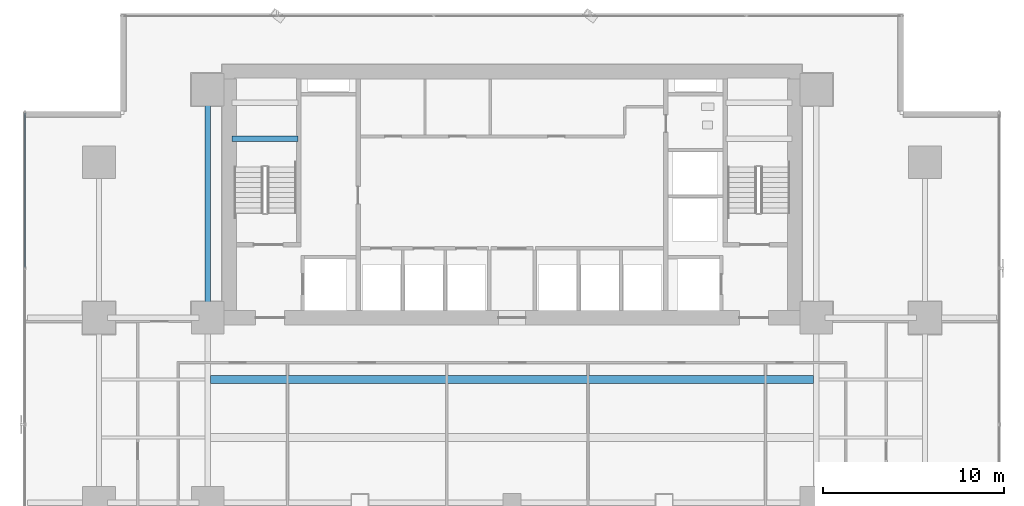
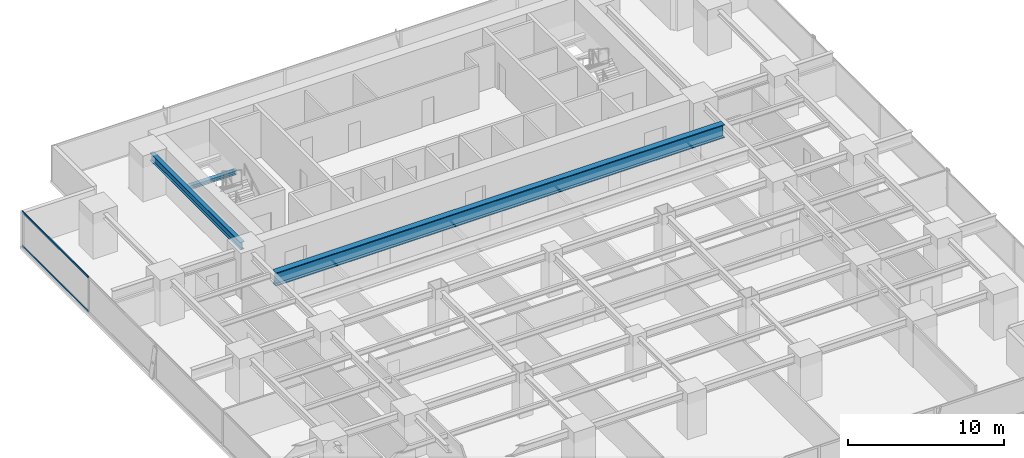
# One storey, part 17 of 33: 3 beams, 2 members, 1 element without a shape of its own.
"""IFC4 building model written with IfcOpenShell, lengths in metres."""

from ifc_helpers import new_model, si_unit, direction, frame, origin, origin_2d, place, context, subcontext, project, spatial, hollow_rectangle, i_section, extrude, source, transform, mapped, material, layer, layer_set, material_profile, profile_set, type_object, element, aggregate, save


model = new_model("IFC4")

# Units and contexts
model_context = context("Model", 3, precision=1e-05, world=origin(), true_north=direction((0.0, 1.0)))
body_context = subcontext(model_context, "Body", "Model", "MODEL_VIEW")
ifc_project = project(units=[si_unit("LENGTHUNIT", "METRE"), si_unit("AREAUNIT", "SQUARE_METRE"), si_unit("VOLUMEUNIT", "CUBIC_METRE"), si_unit("PLANEANGLEUNIT", "RADIAN"), si_unit("MASSUNIT", "GRAM", prefix="KILO")], contexts=[model_context])

# Site, building, storey
site_placement = place(None, origin())
site = spatial("IfcSite", under=ifc_project, at=site_placement, CompositionType="ELEMENT")
building_placement = place(site_placement, origin())
building = spatial("IfcBuilding", under=site, at=building_placement, Name="Sumidabori Civic Tower", CompositionType="ELEMENT")
storey_placement = place(building_placement, frame((0.0, 0.0, 27.199951171875)))
storey = spatial("IfcBuildingStorey", under=building, at=storey_placement, Name="L06", CompositionType="ELEMENT", Elevation=27.199951171875)

# Beams
ifc_material_1 = material(Name="Steel SN490", Category="steel")
ifc_material_profile_1 = material_profile(ifc_material_1, i_section(OverallWidth=0.300048828125, OverallDepth=0.300048828125, WebThickness=0.010986328125, FlangeThickness=0.01904296875, at=origin_2d()), Name="HE 300 B")
ifc_profile_set_1 = profile_set([ifc_material_profile_1], Name="Steel SN490")
beam_type_1 = type_object("IfcBeamType", Name="BM-LDG-300", PredefinedType="BEAM", material=ifc_profile_set_1)
shared_shape_1 = source(origin(), body_context, "Body", "SweptSolid", [
    extrude(i_section(OverallWidth=0.300048828125, OverallDepth=0.300048828125, WebThickness=0.010986328125, FlangeThickness=0.01904296875, at=origin_2d()), origin(), (0.0, 0.0, 1.0), 3.64990234375),
])
beam_1_placement = place(storey_placement, frame((-15.449951171875, 20.09765625, 1.449951171875), z_axis=(1.0, 0.0, 0.0), x_axis=(0.0, 1.0, 0.0)))
element("IfcBeam", 1, at=beam_1_placement, inside=storey, type_object=beam_type_1, Name="Stair ST-1 Landing Support Beam L06-1A", PredefinedType="BEAM", context=body_context, shape_type="MappedRepresentation", body=[
    mapped(shared_shape_1, transform((0.0, 0.0, 0.0), x_axis=(1.0, 0.0, 0.0), y_axis=(0.0, 1.0, 0.0), z_axis=(0.0, 0.0, 1.0), scale=1.0)),
])
ifc_material_profile_2 = material_profile(ifc_material_1, i_section(OverallWidth=0.300048828125, OverallDepth=0.60009765625, WebThickness=0.015380859375, FlangeThickness=0.030029296875, at=origin_2d()), Name="HE 600 B")
ifc_profile_set_2 = profile_set([ifc_material_profile_2], Name="Steel SN490")
beam_type_2 = type_object("IfcBeamType", Name="BM-GIRD-600", PredefinedType="BEAM", material=ifc_profile_set_2)
shared_shape_2 = source(origin(), body_context, "Body", "SweptSolid", [
    extrude(i_section(OverallWidth=0.300048828125, OverallDepth=0.60009765625, WebThickness=0.015380859375, FlangeThickness=0.030029296875, at=origin_2d()), origin(), (0.0, 0.0, 1.0), 11.64013671875),
])
beam_2_placement = place(storey_placement, frame((-16.800048828125, 10.679931640625, 3.06005859375), z_axis=(0.0, 1.0, 0.0), x_axis=(-1.0, 0.0, 0.0)))
element("IfcBeam", 2, at=beam_2_placement, inside=storey, type_object=beam_type_2, Name="Primary Girder L06 GY-28", PredefinedType="BEAM", context=body_context, shape_type="MappedRepresentation", body=[
    mapped(shared_shape_2, transform((0.0, 0.0, 0.0), x_axis=(1.0, 0.0, 0.0), y_axis=(0.0, 1.0, 0.0), z_axis=(0.0, 0.0, 1.0), scale=1.0)),
])
ifc_material_2 = material(Name="Steel SM570", Category="steel")
ifc_material_profile_3 = material_profile(ifc_material_2, i_section(OverallWidth=0.446044921875, OverallDepth=1.0439453125, WebThickness=0.035888671875, FlangeThickness=0.06396484375, at=origin_2d()), Name="W36X652")
ifc_profile_set_3 = profile_set([ifc_material_profile_3], Name="Steel SM570")
beam_type_3 = type_object("IfcBeamType", Name="BM-HEAVY-W36A", PredefinedType="BEAM", material=ifc_profile_set_3)
shared_shape_3 = source(origin(), body_context, "Body", "SweptSolid", [
    extrude(i_section(OverallWidth=0.446044921875, OverallDepth=1.0439453125, WebThickness=0.035888671875, FlangeThickness=0.06396484375, at=origin_2d()), origin(), (0.0, 0.0, 1.0), 33.2998046875),
])
beam_3_placement = place(storey_placement, frame((-16.64990234375, 6.800048828125, 2.838134765625), z_axis=(1.0, 0.0, 0.0), x_axis=(0.0, 1.0, 0.0)))
element("IfcBeam", 3, at=beam_3_placement, inside=storey, type_object=beam_type_3, Name="North Bay Floor Beam L06 JSTN-60", PredefinedType="BEAM", context=body_context, shape_type="MappedRepresentation", body=[
    mapped(shared_shape_3, transform((0.0, 0.0, 0.0), x_axis=(1.0, 0.0, 0.0), y_axis=(0.0, 1.0, 0.0), z_axis=(0.0, 0.0, 1.0), scale=1.0)),
])

# Curtain wall, members
ifc_material_3 = material(Name="Anodised Bronze Aluminium AW-6063-T6", Category="aluminium")
ifc_layer = layer(ifc_material_3, 0.179931640625, Name="Anodised Bronze Aluminium AW-6063-T6")
ifc_layer_set = layer_set([ifc_layer], Name="Anodised Bronze Aluminium AW-6063-T6")
curtain_wall_type = type_object("IfcCurtainWallType", Name="CW-SYS-2", PredefinedType="NOTDEFINED", material=ifc_layer_set)
curtain_wall_placement = place(storey_placement, origin())
curtain_wall = element("IfcCurtainWall", 4, at=curtain_wall_placement, inside=storey, type_object=curtain_wall_type, Name="Curtain Wall CW:L06:R10", PredefinedType="NOTDEFINED")
ifc_material_profile_4 = material_profile(ifc_material_3, hollow_rectangle(XDim=0.06494140625, YDim=0.14990234375, WallThickness=0.0048828125, at=origin_2d()), Name="ALU TRANSOM 150x65")
ifc_profile_set_4 = profile_set([ifc_material_profile_4], Name="Anodised Bronze Aluminium AW-6063-T6")
member_type = type_object("IfcMemberType", Name="CW-TRN-150", PredefinedType="USERDEFINED", material=ifc_profile_set_4)
shared_shape_4 = source(origin(), body_context, "Body", "SweptSolid", [
    extrude(hollow_rectangle(XDim=0.06494140625, YDim=0.14990234375, WallThickness=0.0048828125, at=origin_2d()), origin(), (0.0, 0.0, 1.0), 8.52294921875),
])
member_1_placement = place(storey_placement, frame((-26.8798828125, 21.5, 0.032470703125), z_axis=(0.0, -1.0, 0.0), x_axis=(1.0, 0.0, 0.0)))
member_1 = element("IfcMember", 5, at=member_1_placement, type_object=member_type, Name="CW-2 transom 1.1", ObjectType="TRANSOM", PredefinedType="USERDEFINED", context=body_context, shape_type="MappedRepresentation", body=[
    mapped(shared_shape_4, transform((0.0, 0.0, 0.0), x_axis=(1.0, 0.0, 0.0), y_axis=(0.0, 1.0, 0.0), z_axis=(0.0, 0.0, 1.0), scale=1.0)),
])
member_2_placement = place(storey_placement, frame((-26.8798828125, 21.5, 2.70751953125), z_axis=(0.0, -1.0, 0.0), x_axis=(1.0, 0.0, 0.0)))
member_2 = element("IfcMember", 6, at=member_2_placement, type_object=member_type, Name="CW-2 transom 1.2", ObjectType="TRANSOM", PredefinedType="USERDEFINED", context=body_context, shape_type="MappedRepresentation", body=[
    mapped(shared_shape_4, transform((0.0, 0.0, 0.0), x_axis=(1.0, 0.0, 0.0), y_axis=(0.0, 1.0, 0.0), z_axis=(0.0, 0.0, 1.0), scale=1.0)),
])
aggregate(curtain_wall, [member_1, member_2])

save(model, "model.ifc")
